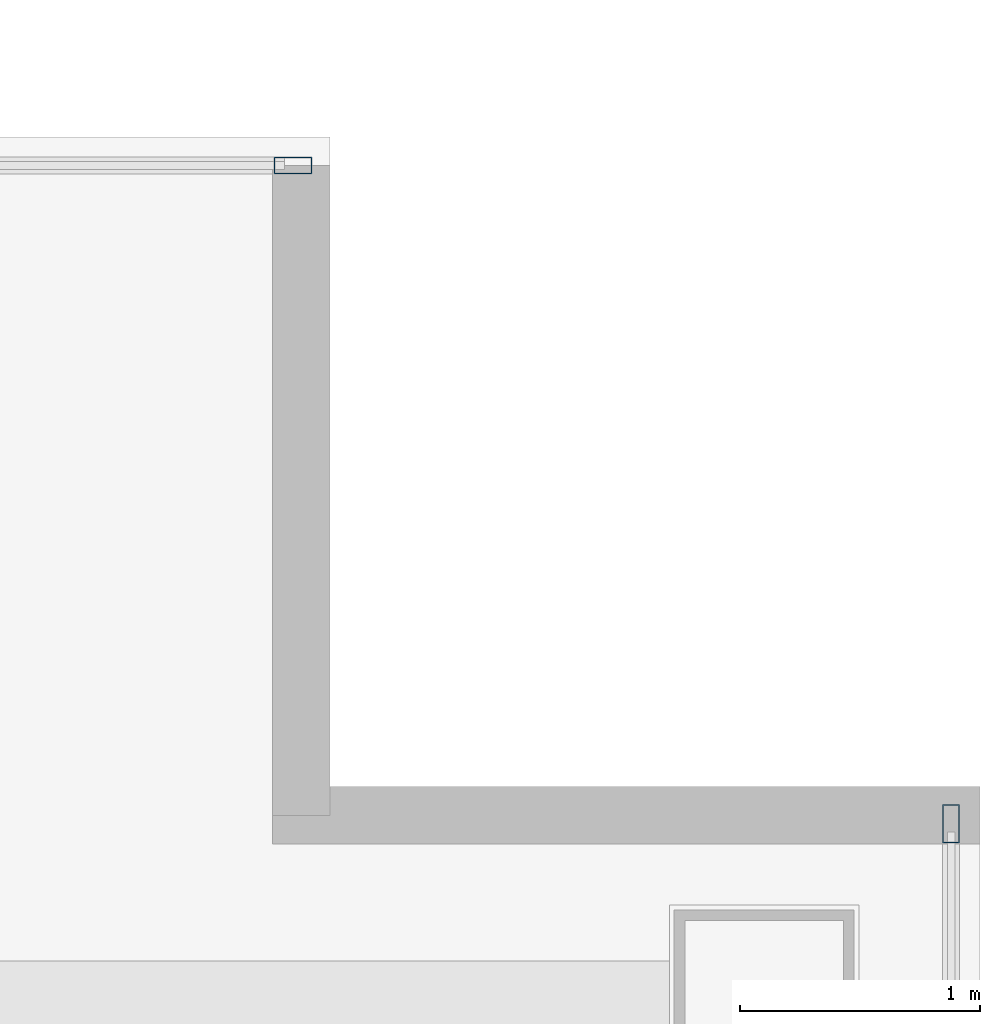
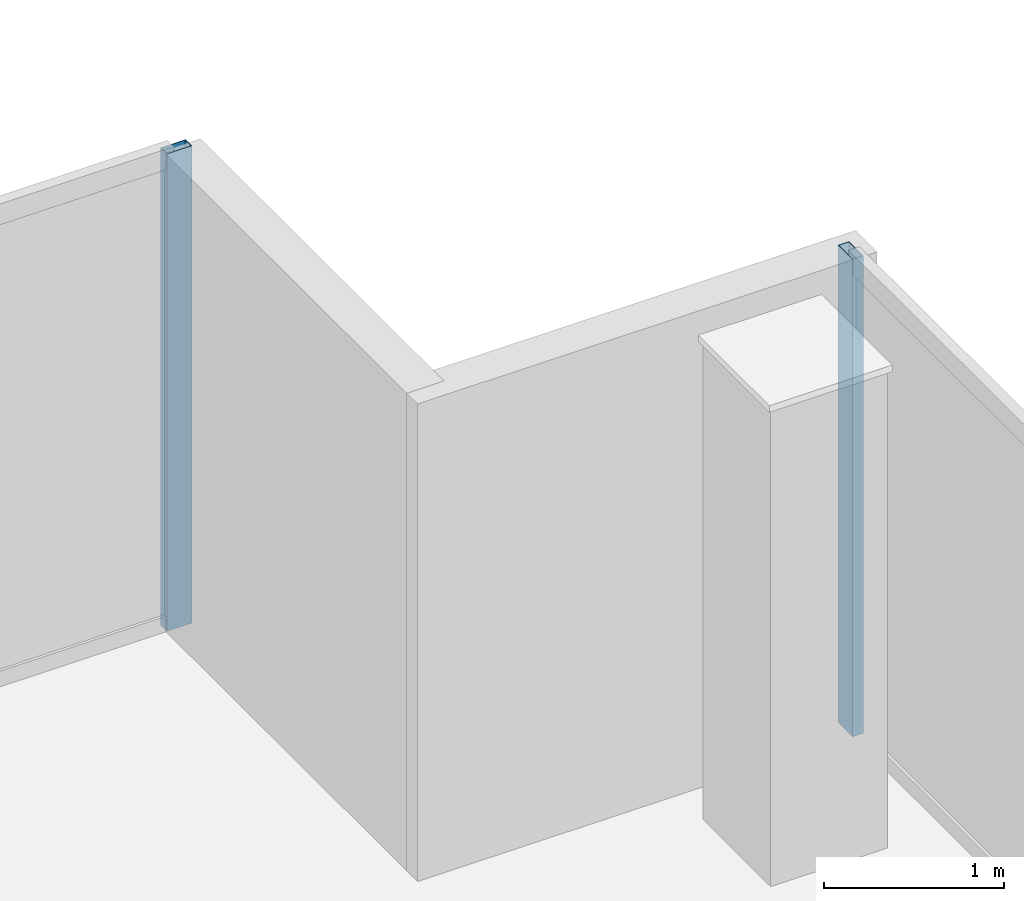
# One storey, part 16 of 23: 2 members, 2 elements without a shape of their own.
"""IFC4 building model written with IfcOpenShell, lengths in metres."""

from ifc_helpers import new_model, si_unit, direction, frame, origin, origin_2d, place, context, subcontext, project, spatial, hollow_rectangle, extrude, material, material_profile, profile_set, type_object, element, aggregate, save


model = new_model("IFC4")

# Units and contexts
model_context = context("Model", 3, precision=1e-05, world=origin(), true_north=direction((0.0, 1.0)))
body_context = subcontext(model_context, "Body", "Model", "MODEL_VIEW")
ifc_project = project(units=[si_unit("LENGTHUNIT", "METRE"), si_unit("AREAUNIT", "SQUARE_METRE"), si_unit("VOLUMEUNIT", "CUBIC_METRE"), si_unit("PLANEANGLEUNIT", "RADIAN"), si_unit("MASSUNIT", "GRAM", prefix="KILO")], contexts=[model_context])

# Site, building, storey
site_placement = place(None, origin())
site = spatial("IfcSite", under=ifc_project, at=site_placement, CompositionType="ELEMENT")
building_placement = place(site_placement, origin())
building = spatial("IfcBuilding", under=site, at=building_placement, Name="Cobrela Telecom Tower", CompositionType="ELEMENT")
storey_placement = place(building_placement, frame((0.0, 0.0, 229.25)))
storey = spatial("IfcBuildingStorey", under=building, at=storey_placement, Name="L59", CompositionType="ELEMENT", Elevation=229.25)

# Curtain wall, member
ifc_material = material(Name="Anodized Bronze Aluminium 6063-T6", Category="aluminium")
curtain_wall_type = type_object("IfcCurtainWallType", Name="CW-SYS-OFF-LO", PredefinedType="USERDEFINED", material=ifc_material)
curtain_wall_1_placement = place(storey_placement, origin())
curtain_wall_1 = element("IfcCurtainWall", 1, at=curtain_wall_1_placement, inside=storey, type_object=curtain_wall_type, Name="L59 Unitised Bronze Curtain Wall 11", ObjectType="UNITISED CURTAIN WALL", PredefinedType="USERDEFINED")
ifc_material_profile = material_profile(ifc_material, hollow_rectangle(XDim=0.070068359375, YDim=0.159912109375, WallThickness=0.00390625, at=origin_2d()), Name="ALU 70x160x4")
ifc_profile_set = profile_set([ifc_material_profile], Name="Anodized Bronze Aluminium 6063-T6")
member_type = type_object("IfcMemberType", Name="CW-SYS-OFF-LO-MUL", PredefinedType="MULLION", material=ifc_profile_set)
member_1_placement = place(storey_placement, frame((41.135009765625, 25.080078125, 0.0), z_axis=(0.0, 0.0, 1.0), x_axis=(0.0, 1.0, 0.0)))
member_1 = element("IfcMember", 2, at=member_1_placement, type_object=member_type, Name="CW-OFF-LO mullion 3", PredefinedType="MULLION", context=body_context, shape_type="SweptSolid", body=[
    extrude(hollow_rectangle(XDim=0.070068359375, YDim=0.159912109375, WallThickness=0.00390625, at=origin_2d()), origin(), (0.0, 0.0, 1.0), 3.239990234375),
])
aggregate(curtain_wall_1, [member_1])

curtain_wall_2_placement = place(storey_placement, origin())
curtain_wall_2 = element("IfcCurtainWall", 3, at=curtain_wall_2_placement, inside=storey, type_object=curtain_wall_type, Name="L59 Unitised Bronze Curtain Wall 14", ObjectType="UNITISED CURTAIN WALL", PredefinedType="USERDEFINED")
member_2_placement = place(storey_placement, frame((43.8798828125, 22.3349609375, 0.0), z_axis=(0.0, 0.0, 1.0), x_axis=(1.0, 0.0, 0.0)))
member_2 = element("IfcMember", 4, at=member_2_placement, type_object=member_type, Name="CW-OFF-LO mullion 1", PredefinedType="MULLION", context=body_context, shape_type="SweptSolid", body=[
    extrude(hollow_rectangle(XDim=0.070068359375, YDim=0.159912109375, WallThickness=0.00390625, at=origin_2d()), origin(), (0.0, 0.0, 1.0), 3.239990234375),
])
aggregate(curtain_wall_2, [member_2])

save(model, "model.ifc")
